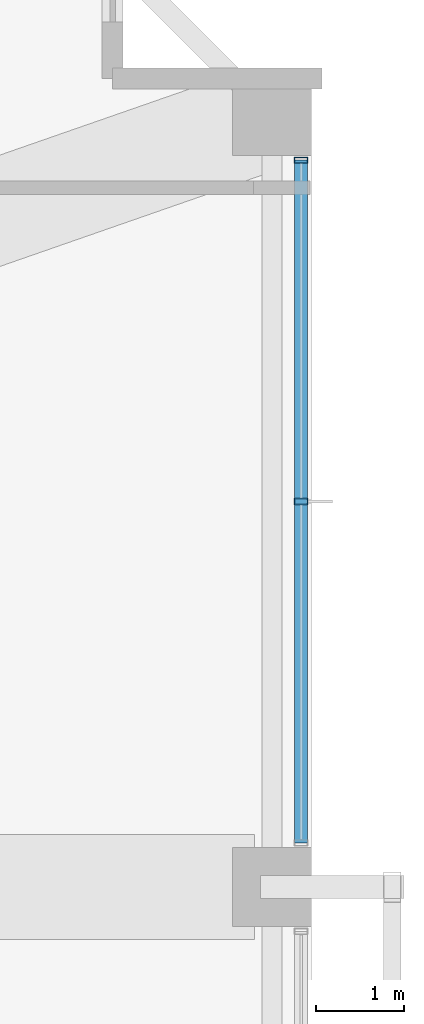
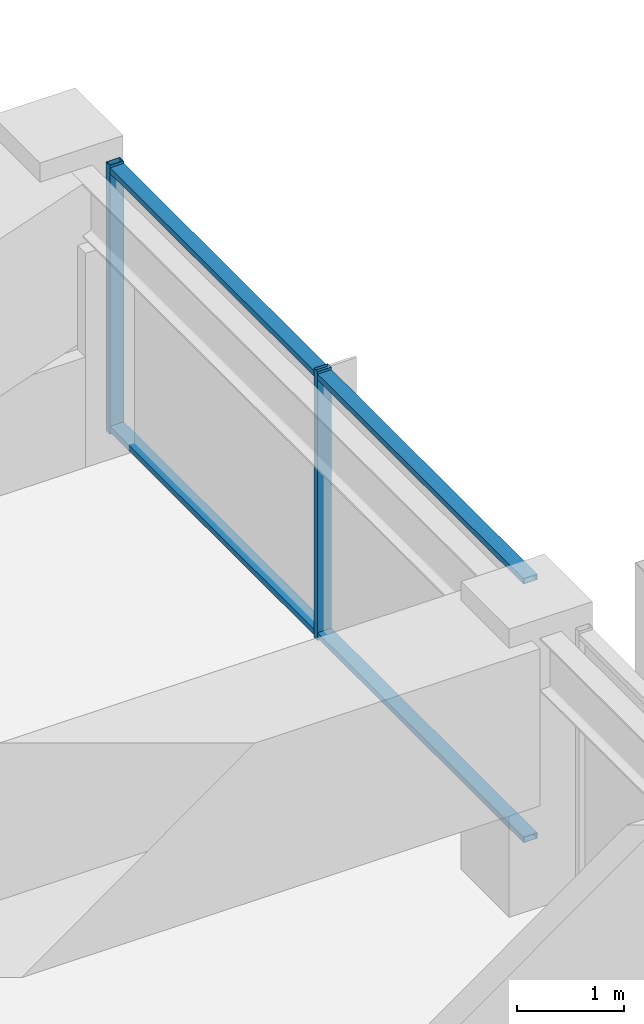
# One storey, part 23 of 37: 4 members, 1 element without a shape of its own.
"""IFC4 building model written with IfcOpenShell, lengths in metres."""

import ifcopenshell
import ifcopenshell.guid

model = None  # the IFC model being written
_history = None  # IfcOwnerHistory: only IFC2X3 demands one
_inside = {}  # id of a spatial element -> (the spatial element, [elements in it])
_under = {}  # id of a project, library or spatial element -> (it, [spatial elements below it])
_declared = {}  # id of a project -> (the project, [libraries it declares])
_typed = {}  # id of a type object -> (the type object, [elements of that type])
_made_of = {}  # id of a material, layer set ... -> (it, [elements and type objects made of it])


def new_model(schema):
    """Start an empty IFC model of exactly this schema.

    Asked for "IFC4X3", IfcOpenShell would pick the latest addendum, in which some entities
    have other attributes; the version numbers below select the first issue.
    IFC2X3 requires an IfcOwnerHistory on every rooted entity: one is made here for all.
    """
    global model, _history
    if schema == "IFC4X3":
        model = ifcopenshell.file(schema_version=(4, 3, 0, 0))
    else:
        model = ifcopenshell.file(schema=schema)
    _inside.clear()
    _under.clear()
    _declared.clear()
    _typed.clear()
    _made_of.clear()
    _history = None
    if model.schema == "IFC2X3":
        org = make("IfcOrganization", Name="unknown")
        user = make(
            "IfcPersonAndOrganization",
            ThePerson=make("IfcPerson", FamilyName="unknown"),
            TheOrganization=org,
        )
        app = make(
            "IfcApplication",
            ApplicationDeveloper=org,
            Version="unknown",
            ApplicationFullName="unknown",
            ApplicationIdentifier="unknown",
        )
        _history = make(
            "IfcOwnerHistory",
            OwningUser=user,
            OwningApplication=app,
            ChangeAction="ADDED",
            CreationDate=0,
        )
    return model


def make(cls, **values):
    """One entity of the class cls with the attributes given. An attribute that is None is left unset."""
    return model.create_entity(
        cls, **{name: value for name, value in values.items() if value is not None}
    )


def rooted(cls, **values):
    """An entity with a GlobalId (a new one), such as an element, a storey or a relation."""
    return make(cls, GlobalId=ifcopenshell.guid.new(), OwnerHistory=_history, **values)


def si_unit(unit_type, name, prefix=None):
    """IfcSIUnit, for example si_unit("LENGTHUNIT", "METRE", prefix="MILLI")."""
    return make("IfcSIUnit", UnitType=unit_type, Prefix=prefix, Name=name)


def assignment(units):
    """IfcUnitAssignment: the units of a project."""
    return None if units is None else make("IfcUnitAssignment", Units=units)


def point(xyz):
    """IfcCartesianPoint."""
    return None if xyz is None else make("IfcCartesianPoint", Coordinates=xyz)


def direction(xyz):
    """IfcDirection."""
    return None if xyz is None else make("IfcDirection", DirectionRatios=xyz)


def frame(location, z_axis=None, x_axis=None):
    """IfcAxis2Placement3D, a coordinate frame: its origin and axes. An axis left out is left unset."""
    return make(
        "IfcAxis2Placement3D",
        Location=point(location),
        Axis=direction(z_axis),
        RefDirection=direction(x_axis),
    )


def frame_2d(location, x_axis=None):
    """IfcAxis2Placement2D, a coordinate frame in the plane: its origin and x axis."""
    return make(
        "IfcAxis2Placement2D", Location=point(location), RefDirection=direction(x_axis)
    )


def origin():
    """The frame at (0, 0, 0) with its axes left unset."""
    return frame((0.0, 0.0, 0.0))


def origin_2d():
    """The frame at (0, 0) in the plane with its x axis left unset."""
    return frame_2d((0.0, 0.0))


def place(relative_to, where):
    """IfcLocalPlacement: puts the frame where relative to a parent placement (None: the world)."""
    return make(
        "IfcLocalPlacement", PlacementRelTo=relative_to, RelativePlacement=where
    )


def context(
    kind, dimensions, precision=None, world=None, true_north=None, identifier=None
):
    """IfcGeometricRepresentationContext, for example the 3D "Model" context."""
    return make(
        "IfcGeometricRepresentationContext",
        ContextIdentifier=identifier,
        ContextType=kind,
        CoordinateSpaceDimension=dimensions,
        Precision=precision,
        WorldCoordinateSystem=world,
        TrueNorth=true_north,
    )


def subcontext(parent, identifier, kind, view, scale=None):
    """IfcGeometricRepresentationSubContext, for example "Body" below "Model"."""
    return make(
        "IfcGeometricRepresentationSubContext",
        ContextIdentifier=identifier,
        ContextType=kind,
        ParentContext=parent,
        TargetScale=scale,
        TargetView=view,
    )


def project(units=None, contexts=None):
    """IfcProject with its units and contexts."""
    return rooted(
        "IfcProject",
        Name="project",
        RepresentationContexts=contexts,
        UnitsInContext=assignment(units),
    )


def spatial(cls, under=None, at=None, **own):
    """A site, building, storey or space (cls), placed at a placement, below another one or the project."""
    s = rooted(cls, ObjectPlacement=at, **own)
    if under is not None:
        _under.setdefault(under.id(), (under, []))[1].append(s)
    return s


def profile(cls, at=None, kind="AREA", **sizes):
    """A parametric profile (cls). Its sizes go by their IFC names, for example OverallWidth=200.0."""
    return make(cls, ProfileType=kind, Position=at, **sizes)


def hollow_rectangle(**sizes):
    """IfcRectangleHollowProfileDef."""
    return profile("IfcRectangleHollowProfileDef", **sizes)


def extrude(swept, where, along, depth):
    """IfcExtrudedAreaSolid: the profile swept, set in the frame where, extruded along a direction by depth."""
    return make(
        "IfcExtrudedAreaSolid",
        SweptArea=swept,
        Position=where,
        ExtrudedDirection=direction(along),
        Depth=depth,
    )


def shape(context_of_items, identifier, shape_type, items):
    """IfcShapeRepresentation: the items that make up one representation, for example the "Body"."""
    return make(
        "IfcShapeRepresentation",
        ContextOfItems=context_of_items,
        RepresentationIdentifier=identifier,
        RepresentationType=shape_type,
        Items=items,
    )


def material(Name=None, Category=None):
    """IfcMaterial."""
    return make("IfcMaterial", Name=Name, Category=Category)


def material_profile(
    of_material, cross_section, Name=None, Category=None, Priority=None
):
    """IfcMaterialProfile: a cross section and its material."""
    return make(
        "IfcMaterialProfile",
        Name=Name,
        Material=of_material,
        Profile=cross_section,
        Priority=Priority,
        Category=Category,
    )


def profile_set(profiles, Name=None, composite=None):
    """IfcMaterialProfileSet."""
    return make(
        "IfcMaterialProfileSet",
        Name=Name,
        MaterialProfiles=profiles,
        CompositeProfile=composite,
    )


def made_of(thing, what):
    """Note that an element or type object is made of a material, layer set ...; save() writes the relation."""
    if what is not None:
        _made_of.setdefault(what.id(), (what, []))[1].append(thing)
    return thing


def type_object(cls, material=None, **own):
    """A type object (cls), such as IfcWallType, which elements share."""
    return made_of(rooted(cls, **own), material)


def element(
    cls,
    number,
    at=None,
    inside=None,
    cuts=None,
    type_object=None,
    material=None,
    context=None,
    identifier="Body",
    shape_type=None,
    held_by="IfcProductDefinitionShape",
    body=None,
    shapes=None,
    **own,
):
    """One element of the class cls, such as IfcWall. Its Tag is "e" and its number.

    at: its placement. inside: the storey or other place that contains it. cuts: it is an
    opening in that element (IfcRelVoidsElement). A single representation is given by context,
    identifier, shape_type and body (its items); several are given by shapes. held_by: the class
    of the entity that holds the representations. save() writes the other relations.
    """
    e = rooted(cls, Tag="e%d" % number, ObjectPlacement=at, **own)
    if body is not None:
        shapes = [shape(context, identifier, shape_type, body)]
    if shapes is not None:
        e.Representation = make(held_by, Representations=shapes)
    if inside is not None:
        _inside.setdefault(inside.id(), (inside, []))[1].append(e)
    if cuts is not None:
        rooted(
            "IfcRelVoidsElement", RelatingBuildingElement=cuts, RelatedOpeningElement=e
        )
    if type_object is not None:
        _typed.setdefault(type_object.id(), (type_object, []))[1].append(e)
    return made_of(e, material)


def aggregate(whole, parts):
    """IfcRelAggregates: a whole, such as a stair, and the parts it consists of."""
    return rooted("IfcRelAggregates", RelatingObject=whole, RelatedObjects=parts)


def save(model, path):
    """Write the relations noted so far, then the file.

    IfcRelAggregates (storeys below a building ...), IfcRelContainedInSpatialStructure (elements
    in a storey), IfcRelDefinesByType, IfcRelAssociatesMaterial and IfcRelDeclares: one each for
    every whole, place, type object, material and project.
    """
    for whole, parts in _under.values():
        aggregate(whole, parts)
    for where, things in _inside.values():
        rooted(
            "IfcRelContainedInSpatialStructure",
            RelatedElements=things,
            RelatingStructure=where,
        )
    for kind, things in _typed.values():
        rooted("IfcRelDefinesByType", RelatedObjects=things, RelatingType=kind)
    for what, things in _made_of.values():
        rooted("IfcRelAssociatesMaterial", RelatedObjects=things, RelatingMaterial=what)
    for by, libraries in _declared.values():
        rooted("IfcRelDeclares", RelatingContext=by, RelatedDefinitions=libraries)
    model.write(path)


model = new_model("IFC4")

# Units and contexts
model_context = context("Model", 3, precision=1e-05, world=origin(), true_north=direction((0.0, 1.0)))
body_context = subcontext(model_context, "Body", "Model", "MODEL_VIEW")
ifc_project = project(units=[si_unit("LENGTHUNIT", "METRE"), si_unit("AREAUNIT", "SQUARE_METRE"), si_unit("VOLUMEUNIT", "CUBIC_METRE"), si_unit("PLANEANGLEUNIT", "RADIAN"), si_unit("MASSUNIT", "GRAM", prefix="KILO")], contexts=[model_context])

# Site, building, storey
site_placement = place(None, origin())
site = spatial("IfcSite", under=ifc_project, at=site_placement, CompositionType="ELEMENT")
building_placement = place(site_placement, origin())
building = spatial("IfcBuilding", under=site, at=building_placement, Name="Kolvaren Belvedere", CompositionType="ELEMENT")
storey_placement = place(building_placement, frame((0.0, 0.0, 186.60009765625)))
storey = spatial("IfcBuildingStorey", under=building, at=storey_placement, Name="L54", CompositionType="ELEMENT", Elevation=186.60009765625)

# Curtain wall, members
ifc_material_1 = material(Name="Anodised pale-metal aluminium AA 6063-T6", Category="aluminium")
curtain_wall_type = type_object("IfcCurtainWallType", Name="CW-Z5-HIGH", PredefinedType="NOTDEFINED", material=ifc_material_1)
curtain_wall_placement = place(storey_placement, origin())
curtain_wall = element("IfcCurtainWall", 1, at=curtain_wall_placement, inside=storey, type_object=curtain_wall_type, Name="L54 Unitised Curtain Wall FCW-L54-E-B1", PredefinedType="NOTDEFINED")
ifc_material_2 = material(Name="Anodised pale-metal aluminium AA 6063-T6", Category="aluminium")
ifc_material_profile_1 = material_profile(ifc_material_2, hollow_rectangle(XDim=0.070068359375, YDim=0.14990234375, WallThickness=0.004150390625, at=origin_2d()), Name="ALU-MUL-150X70")
ifc_profile_set_1 = profile_set([ifc_material_profile_1], Name="Anodised pale-metal aluminium AA 6063-T6")
member_type_1 = type_object("IfcMemberType", Name="CW-MUL-150", PredefinedType="MULLION", material=ifc_profile_set_1)
member_1_placement = place(storey_placement, frame((20.280029296875, 12.89501953125, 0.0), z_axis=(0.0, 0.0, 1.0), x_axis=(0.0, 1.0, 0.0)))
member_1 = element("IfcMember", 2, at=member_1_placement, type_object=member_type_1, Name="FCW-L54-E-B1 Unitised Mullion 1", PredefinedType="MULLION", context=body_context, shape_type="SweptSolid", body=[
    extrude(hollow_rectangle(XDim=0.070068359375, YDim=0.14990234375, WallThickness=0.004150390625, at=origin_2d()), origin(), (0.0, 0.0, 1.0), 3.079833984375),
])
member_2_placement = place(storey_placement, frame((20.280029296875, 9.0, 0.0), z_axis=(0.0, 0.0, 1.0), x_axis=(0.0, 1.0, 0.0)))
member_2 = element("IfcMember", 3, at=member_2_placement, type_object=member_type_1, Name="FCW-L54-E-B1 Unitised Mullion 2", PredefinedType="MULLION", context=body_context, shape_type="SweptSolid", body=[
    extrude(hollow_rectangle(XDim=0.070068359375, YDim=0.14990234375, WallThickness=0.004150390625, at=origin_2d()), origin(), (0.0, 0.0, 1.0), 3.079833984375),
])
ifc_material_3 = material(Name="Anodised pale-metal aluminium AA 6063-T6", Category="aluminium")
ifc_material_profile_2 = material_profile(ifc_material_3, hollow_rectangle(XDim=0.06494140625, YDim=0.14990234375, WallThickness=0.00390625, at=origin_2d()), Name="ALU-TRN-150X65")
ifc_profile_set_2 = profile_set([ifc_material_profile_2], Name="Anodised pale-metal aluminium AA 6063-T6")
member_type_2 = type_object("IfcMemberType", Name="CW-TRN-150", PredefinedType="USERDEFINED", material=ifc_profile_set_2)
member_3_placement = place(storey_placement, frame((20.280029296875, 12.89501953125, 0.059814453125), z_axis=(0.0, -1.0, 0.0), x_axis=(0.0, 0.0, 1.0)))
member_3 = element("IfcMember", 4, at=member_3_placement, type_object=member_type_2, Name="FCW-L54-E-B1 Sill Transom", ObjectType="TRANSOM", PredefinedType="USERDEFINED", context=body_context, shape_type="SweptSolid", body=[
    extrude(hollow_rectangle(XDim=0.06494140625, YDim=0.14990234375, WallThickness=0.00390625, at=origin_2d()), origin(), (0.0, 0.0, 1.0), 7.7900390625),
])
member_4_placement = place(storey_placement, frame((20.280029296875, 12.89501953125, 3.02001953125), z_axis=(0.0, -1.0, 0.0), x_axis=(0.0, 0.0, 1.0)))
member_4 = element("IfcMember", 5, at=member_4_placement, type_object=member_type_2, Name="FCW-L54-E-B1 Head Transom", ObjectType="TRANSOM", PredefinedType="USERDEFINED", context=body_context, shape_type="SweptSolid", body=[
    extrude(hollow_rectangle(XDim=0.06494140625, YDim=0.14990234375, WallThickness=0.00390625, at=origin_2d()), origin(), (0.0, 0.0, 1.0), 7.7900390625),
])
aggregate(curtain_wall, [member_1, member_2, member_3, member_4])

save(model, "model.ifc")
